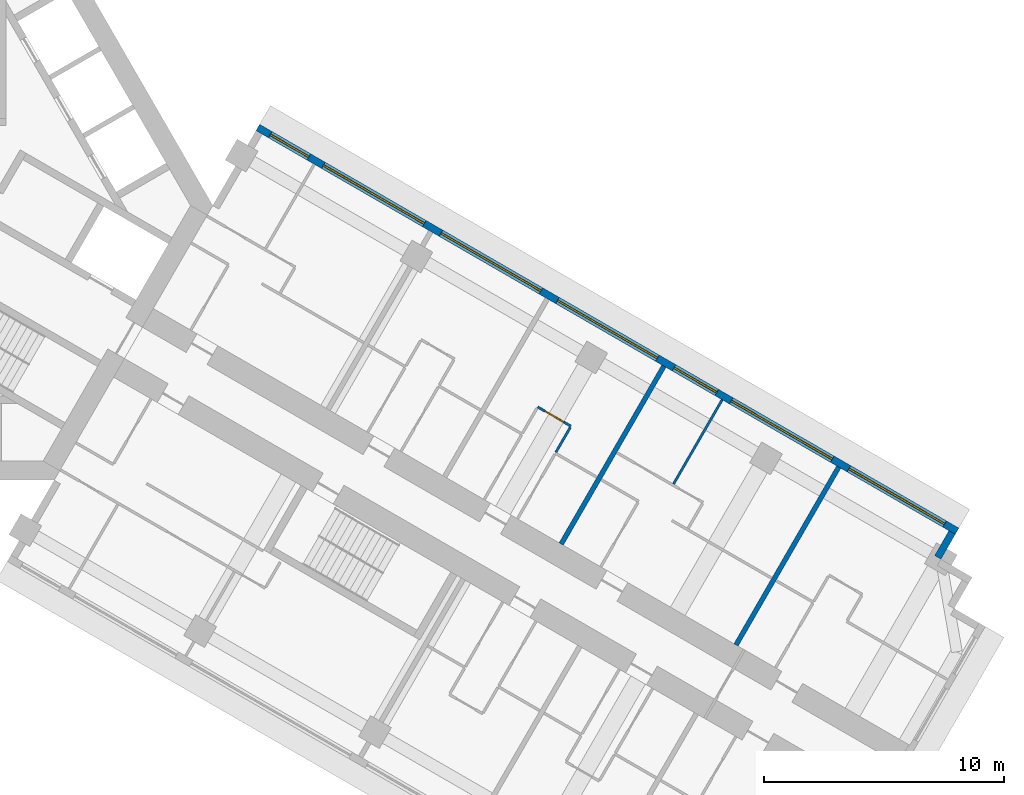
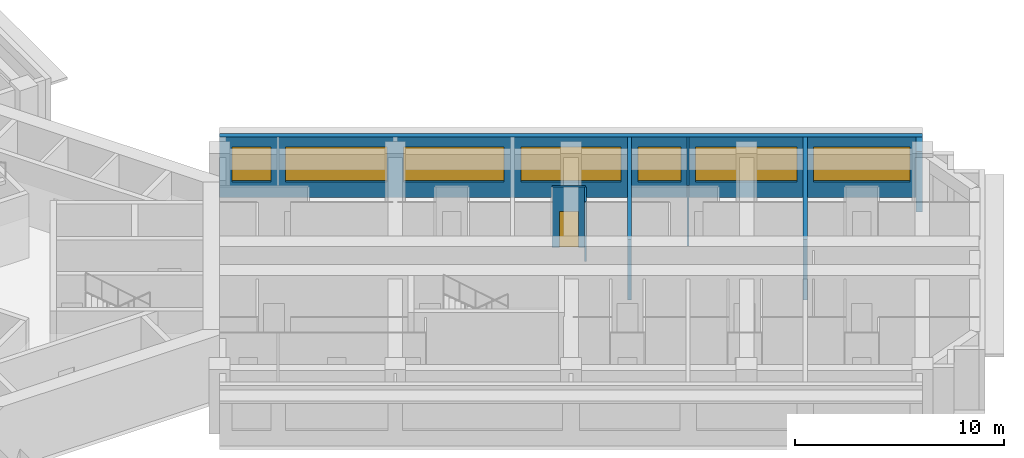
# One storey, part 12 of 15: 7 walls, 7 windows, 1 door, 8 openings.
"""IFC4 building model written with IfcOpenShell, lengths in metres."""

from ifc_helpers import new_model, si_unit, direction, frame, frame_2d, origin, place, context, subcontext, project, spatial, rectangle, extrude, material, layer, layer_set, type_object, element, fill, save


model = new_model("IFC4")

# Units and contexts
model_context = context("Model", 3, precision=1e-05, world=origin(), true_north=direction((0.0, 1.0)))
body_context = subcontext(model_context, "Body", "Model", "MODEL_VIEW")
ifc_project = project(units=[si_unit("LENGTHUNIT", "METRE"), si_unit("AREAUNIT", "SQUARE_METRE"), si_unit("VOLUMEUNIT", "CUBIC_METRE"), si_unit("PLANEANGLEUNIT", "RADIAN"), si_unit("MASSUNIT", "GRAM", prefix="KILO")], contexts=[model_context])

# Site, building, storey
site_placement = place(None, origin())
site = spatial("IfcSite", under=ifc_project, at=site_placement, CompositionType="ELEMENT")
building_placement = place(site_placement, origin())
building = spatial("IfcBuilding", under=site, at=building_placement, Name="Impinga Residences", CompositionType="ELEMENT")
storey_placement = place(building_placement, frame((0.0, 0.0, 132.25)))
storey = spatial("IfcBuildingStorey", under=building, at=storey_placement, Name="L32", CompositionType="ELEMENT", Elevation=132.25)

# Wall
ifc_material_1 = material(Name="Terracotta rainscreen on blockwork", Category="masonry")
ifc_layer_1 = layer(ifc_material_1, 0.300048828125)
ifc_layer_set_1 = layer_set([ifc_layer_1], Name="EW1 external wall, terracotta rainscreen on blockwork 300")
wall_type_1 = type_object("IfcWallType", Name="EW1 external wall, terracotta rainscreen on blockwork 300", PredefinedType="SOLIDWALL", material=ifc_layer_set_1)
wall_1_placement = place(storey_placement, frame((43.968505859375, -13.607421875, 0.0), z_axis=(0.0, 0.0, 1.0), x_axis=(-0.500029051137, -0.866008630453, 0.0)))
element("IfcWall", 1, at=wall_1_placement, inside=storey, type_object=wall_type_1, Name="External wall EW1 L32", PredefinedType="SOLIDWALL", context=body_context, shape_type="SweptSolid", body=[
    extrude(rectangle(XDim=1.19482421875, YDim=0.300048828125, at=frame_2d((0.597412109375, 0.0))), origin(), (0.0, 0.0, 1.0), 3.530029296875),
])

# Wall, openings, windows
wall_2_placement = place(storey_placement, frame((15.074951171875, 3.24755859375, 0.0), z_axis=(0.0, 0.0, 1.0), x_axis=(0.866024291668, -0.500001926238, 0.0)))
wall_2 = element("IfcWall", 2, at=wall_2_placement, inside=storey, type_object=wall_type_1, Name="External wall EW1 L32", PredefinedType="SOLIDWALL", context=body_context, shape_type="SweptSolid", body=[
    extrude(rectangle(XDim=33.599853515625, YDim=0.300048828125, at=frame_2d((16.7998046875, 0.0))), origin(), (0.0, 0.0, 1.0), 3.530029296875),
])
opening_1_placement = place(wall_2_placement, frame((0.60009765625, 0.0, 0.89990234375)))
opening_1 = element("IfcOpeningElement", 3, at=opening_1_placement, cuts=wall_2, Name="Opening W15", PredefinedType="OPENING", context=body_context, shape_type="SweptSolid", body=[
    extrude(rectangle(XDim=1.85009765625, YDim=2.050048828125, at=frame_2d((0.925048828125, 1.02490234375))), frame((0.0, 0.159912109375, 0.0), z_axis=(0.0, -1.0, 0.0), x_axis=(1.0, 0.0, 0.0)), (0.0, 0.0, 1.0), 0.320068359375),
])
opening_2_placement = place(wall_2_placement, frame((3.14990234375, 0.0, 0.89990234375)))
opening_2 = element("IfcOpeningElement", 4, at=opening_2_placement, cuts=wall_2, Name="Opening W6", PredefinedType="OPENING", context=body_context, shape_type="SweptSolid", body=[
    extrude(rectangle(XDim=4.85009765625, YDim=2.050048828125, at=frame_2d((2.425048828125, 1.02490234375))), frame((0.0, 0.159912109375, 0.0), z_axis=(0.0, -1.0, 0.0), x_axis=(1.0, 0.0, 0.0)), (0.0, 0.0, 1.0), 0.320068359375),
])
opening_3_placement = place(wall_2_placement, frame((8.800048828125, 0.0, 0.89990234375)))
opening_3 = element("IfcOpeningElement", 5, at=opening_3_placement, cuts=wall_2, Name="Opening W8", PredefinedType="OPENING", context=body_context, shape_type="SweptSolid", body=[
    extrude(rectangle(XDim=4.800048828125, YDim=2.050048828125, at=frame_2d((2.39990234375, 1.02490234375))), frame((0.0, 0.159912109375, 0.0), z_axis=(0.0, -1.0, 0.0), x_axis=(1.0, 0.0, 0.0)), (0.0, 0.0, 1.0), 0.320068359375),
])
opening_4_placement = place(wall_2_placement, frame((14.39990234375, 0.0, 0.89990234375)))
opening_4 = element("IfcOpeningElement", 6, at=opening_4_placement, cuts=wall_2, Name="Opening W8", PredefinedType="OPENING", context=body_context, shape_type="SweptSolid", body=[
    extrude(rectangle(XDim=4.800048828125, YDim=2.050048828125, at=frame_2d((2.39990234375, 1.02490234375))), frame((0.0, 0.159912109375, 0.0), z_axis=(0.0, -1.0, 0.0), x_axis=(1.0, 0.0, 0.0)), (0.0, 0.0, 1.0), 0.320068359375),
])
opening_5_placement = place(wall_2_placement, frame((20.0, 0.0, 0.89990234375)))
opening_5 = element("IfcOpeningElement", 7, at=opening_5_placement, cuts=wall_2, Name="Opening W14", PredefinedType="OPENING", context=body_context, shape_type="SweptSolid", body=[
    extrude(rectangle(XDim=2.050048828125, YDim=2.050048828125, at=frame_2d((1.02490234375, 1.02490234375))), frame((0.0, 0.159912109375, 0.0), z_axis=(0.0, -1.0, 0.0), x_axis=(1.0, 0.0, 0.0)), (0.0, 0.0, 1.0), 0.320068359375),
])
opening_6_placement = place(wall_2_placement, frame((22.75, 0.0, 0.89990234375)))
opening_6 = element("IfcOpeningElement", 8, at=opening_6_placement, cuts=wall_2, Name="Opening W6", PredefinedType="OPENING", context=body_context, shape_type="SweptSolid", body=[
    extrude(rectangle(XDim=4.85009765625, YDim=2.050048828125, at=frame_2d((2.425048828125, 1.02490234375))), frame((0.0, 0.159912109375, 0.0), z_axis=(0.0, -1.0, 0.0), x_axis=(1.0, 0.0, 0.0)), (0.0, 0.0, 1.0), 0.320068359375),
])
opening_7_placement = place(wall_2_placement, frame((28.39990234375, 0.0, 0.89990234375)))
opening_7 = element("IfcOpeningElement", 9, at=opening_7_placement, cuts=wall_2, Name="Opening W3", PredefinedType="OPENING", context=body_context, shape_type="SweptSolid", body=[
    extrude(rectangle(XDim=4.60009765625, YDim=2.050048828125, at=frame_2d((2.300048828125, 1.02490234375))), frame((0.0, 0.159912109375, 0.0), z_axis=(0.0, -1.0, 0.0), x_axis=(1.0, 0.0, 0.0)), (0.0, 0.0, 1.0), 0.320068359375),
])
ifc_material_2 = material(Name="Aluminium window, clear double glazing", Category="aluminium")
window_type_1 = type_object("IfcWindowType", Name="W14 ribbon window 2050x2050", PartitioningType="SINGLE_PANEL", PredefinedType="WINDOW", material=ifc_material_2)
window_1_placement = place(opening_5_placement, origin())
window_1 = element("IfcWindow", 10, at=window_1_placement, inside=storey, type_object=window_type_1, Name="Window L32", OverallHeight=2.050048828125, OverallWidth=2.050048828125, PartitioningType="SINGLE_PANEL", PredefinedType="WINDOW", context=body_context, shape_type="SweptSolid", body=[
    extrude(rectangle(XDim=2.050048828125, YDim=2.050048828125, at=frame_2d((1.02490234375, 1.02490234375))), frame((0.0, 0.030029296875, 0.0), z_axis=(0.0, -1.0, 0.0), x_axis=(1.0, 0.0, 0.0)), (0.0, 0.0, 1.0), 0.06005859375),
])
fill(opening_5, window_1)
window_type_2 = type_object("IfcWindowType", Name="W15 ribbon window 1850x2050", PartitioningType="SINGLE_PANEL", PredefinedType="WINDOW", material=ifc_material_2)
window_2_placement = place(opening_1_placement, origin())
window_2 = element("IfcWindow", 11, at=window_2_placement, inside=storey, type_object=window_type_2, Name="Window L32", OverallHeight=2.050048828125, OverallWidth=1.85009765625, PartitioningType="SINGLE_PANEL", PredefinedType="WINDOW", context=body_context, shape_type="SweptSolid", body=[
    extrude(rectangle(XDim=1.85009765625, YDim=2.050048828125, at=frame_2d((0.925048828125, 1.02490234375))), frame((0.0, 0.030029296875, 0.0), z_axis=(0.0, -1.0, 0.0), x_axis=(1.0, 0.0, 0.0)), (0.0, 0.0, 1.0), 0.06005859375),
])
fill(opening_1, window_2)
window_type_3 = type_object("IfcWindowType", Name="W3 ribbon window 4600x2050", PartitioningType="SINGLE_PANEL", PredefinedType="WINDOW", material=ifc_material_2)
window_3_placement = place(opening_7_placement, origin())
window_3 = element("IfcWindow", 12, at=window_3_placement, inside=storey, type_object=window_type_3, Name="Window L32", OverallHeight=2.050048828125, OverallWidth=4.60009765625, PartitioningType="SINGLE_PANEL", PredefinedType="WINDOW", context=body_context, shape_type="SweptSolid", body=[
    extrude(rectangle(XDim=4.60009765625, YDim=2.050048828125, at=frame_2d((2.300048828125, 1.02490234375))), frame((0.0, 0.030029296875, 0.0), z_axis=(0.0, -1.0, 0.0), x_axis=(1.0, 0.0, 0.0)), (0.0, 0.0, 1.0), 0.06005859375),
])
fill(opening_7, window_3)
window_type_4 = type_object("IfcWindowType", Name="W6 ribbon window 4850x2050", PartitioningType="SINGLE_PANEL", PredefinedType="WINDOW", material=ifc_material_2)
window_4_placement = place(opening_2_placement, origin())
window_4 = element("IfcWindow", 13, at=window_4_placement, inside=storey, type_object=window_type_4, Name="Window L32", OverallHeight=2.050048828125, OverallWidth=4.85009765625, PartitioningType="SINGLE_PANEL", PredefinedType="WINDOW", context=body_context, shape_type="SweptSolid", body=[
    extrude(rectangle(XDim=4.85009765625, YDim=2.050048828125, at=frame_2d((2.425048828125, 1.02490234375))), frame((0.0, 0.030029296875, 0.0), z_axis=(0.0, -1.0, 0.0), x_axis=(1.0, 0.0, 0.0)), (0.0, 0.0, 1.0), 0.06005859375),
])
fill(opening_2, window_4)
window_5_placement = place(opening_6_placement, origin())
window_5 = element("IfcWindow", 14, at=window_5_placement, inside=storey, type_object=window_type_4, Name="Window L32", OverallHeight=2.050048828125, OverallWidth=4.85009765625, PartitioningType="SINGLE_PANEL", PredefinedType="WINDOW", context=body_context, shape_type="SweptSolid", body=[
    extrude(rectangle(XDim=4.85009765625, YDim=2.050048828125, at=frame_2d((2.425048828125, 1.02490234375))), frame((0.0, 0.030029296875, 0.0), z_axis=(0.0, -1.0, 0.0), x_axis=(1.0, 0.0, 0.0)), (0.0, 0.0, 1.0), 0.06005859375),
])
fill(opening_6, window_5)
window_type_5 = type_object("IfcWindowType", Name="W8 ribbon window 4800x2050", PartitioningType="SINGLE_PANEL", PredefinedType="WINDOW", material=ifc_material_2)
window_6_placement = place(opening_3_placement, origin())
window_6 = element("IfcWindow", 15, at=window_6_placement, inside=storey, type_object=window_type_5, Name="Window L32", OverallHeight=2.050048828125, OverallWidth=4.800048828125, PartitioningType="SINGLE_PANEL", PredefinedType="WINDOW", context=body_context, shape_type="SweptSolid", body=[
    extrude(rectangle(XDim=4.800048828125, YDim=2.050048828125, at=frame_2d((2.39990234375, 1.02490234375))), frame((0.0, 0.030029296875, 0.0), z_axis=(0.0, -1.0, 0.0), x_axis=(1.0, 0.0, 0.0)), (0.0, 0.0, 1.0), 0.06005859375),
])
fill(opening_3, window_6)
window_7_placement = place(opening_4_placement, origin())
window_7 = element("IfcWindow", 16, at=window_7_placement, inside=storey, type_object=window_type_5, Name="Window L32", OverallHeight=2.050048828125, OverallWidth=4.800048828125, PartitioningType="SINGLE_PANEL", PredefinedType="WINDOW", context=body_context, shape_type="SweptSolid", body=[
    extrude(rectangle(XDim=4.800048828125, YDim=2.050048828125, at=frame_2d((2.39990234375, 1.02490234375))), frame((0.0, 0.030029296875, 0.0), z_axis=(0.0, -1.0, 0.0), x_axis=(1.0, 0.0, 0.0)), (0.0, 0.0, 1.0), 0.06005859375),
])
fill(opening_4, window_7)

# Wall, opening, door
ifc_material_3 = material(Name="Gypsum board on steel studs", Category="steel")
ifc_layer_2 = layer(ifc_material_3, 0.10009765625)
ifc_layer_set_2 = layer_set([ifc_layer_2], Name="Gypsum board on steel studs")
wall_type_2 = type_object("IfcWallType", Name="IP1 partition 100", PredefinedType="PARTITIONING", material=ifc_layer_set_2)
wall_3_placement = place(storey_placement, frame((26.7197265625, -8.383056640625, 0.0), z_axis=(0.0, 0.0, 1.0), x_axis=(0.866028054938, -0.499995408039, 0.0)))
wall_3 = element("IfcWall", 17, at=wall_3_placement, inside=storey, type_object=wall_type_2, Name="Partition L32-EA3:STRIP", PredefinedType="PARTITIONING", context=body_context, shape_type="SweptSolid", body=[
    extrude(rectangle(XDim=1.60009765625, YDim=0.10009765625, at=frame_2d((0.800048828125, 0.0))), origin(), (0.0, 0.0, 1.0), 3.530029296875),
])
opening_8_placement = place(wall_3_placement, frame((0.35009765625, 0.0, 0.0)))
opening_8 = element("IfcOpeningElement", 18, at=opening_8_placement, cuts=wall_3, Name="Opening D2", PredefinedType="OPENING", context=body_context, shape_type="SweptSolid", body=[
    extrude(rectangle(XDim=0.89990234375, YDim=2.10009765625, at=frame_2d((0.449951171875, 1.050048828125))), frame((0.0, 0.06005859375, 0.0), z_axis=(0.0, -1.0, 0.0), x_axis=(1.0, 0.0, 0.0)), (0.0, 0.0, 1.0), 0.1201171875),
])
ifc_material_4 = material(Name="Timber door set", Category="wood")
door_type = type_object("IfcDoorType", Name="D2 internal door 900x2100", OperationType="SINGLE_SWING_LEFT", PredefinedType="DOOR", material=ifc_material_4)
door_placement = place(opening_8_placement, origin())
door = element("IfcDoor", 19, at=door_placement, inside=storey, type_object=door_type, Name="Apartment L32-EA3 room door", OperationType="SINGLE_SWING_LEFT", OverallHeight=2.10009765625, OverallWidth=0.89990234375, PredefinedType="DOOR", context=body_context, shape_type="SweptSolid", body=[
    extrude(rectangle(XDim=0.89990234375, YDim=2.10009765625, at=frame_2d((0.449951171875, 1.050048828125))), frame((0.0, 0.02490234375, 0.0), z_axis=(0.0, -1.0, 0.0), x_axis=(1.0, 0.0, 0.0)), (0.0, 0.0, 1.0), 0.050048828125),
])
fill(opening_8, door)

# Walls
wall_4_placement = place(storey_placement, frame((27.48046875, -10.265625, 0.0), z_axis=(0.0, 0.0, 1.0), x_axis=(0.500033551112, 0.866006032174, 0.0)))
element("IfcWall", 20, at=wall_4_placement, inside=storey, type_object=wall_type_2, Name="Partition L32-EA3:SE1", PredefinedType="PARTITIONING", context=body_context, shape_type="SweptSolid", body=[
    extrude(rectangle(XDim=1.2001953125, YDim=0.10009765625, at=frame_2d((0.60009765625, 0.0))), origin(), (0.0, 0.0, 1.0), 3.530029296875),
])
wall_5_placement = place(storey_placement, frame((32.3740234375, -11.589599609375, 0.0), z_axis=(0.0, 0.0, 1.0), x_axis=(0.499990325971, 0.866030989016, 0.0)))
element("IfcWall", 21, at=wall_5_placement, inside=storey, type_object=wall_type_2, Name="Partition L32-EA4:OB1", PredefinedType="PARTITIONING", context=body_context, shape_type="SweptSolid", body=[
    extrude(rectangle(XDim=4.0498046875, YDim=0.10009765625, at=frame_2d((2.02490234375, 0.0))), origin(), (0.0, 0.0, 1.0), 3.530029296875),
])
ifc_material_5 = material(Name="Concrete blockwork", Category="masonry")
ifc_layer_3 = layer(ifc_material_5, 0.199951171875)
ifc_layer_set_3 = layer_set([ifc_layer_3], Name="PW1 party wall between apartments 200")
wall_type_3 = type_object("IfcWallType", Name="PW1 party wall between apartments 200", PredefinedType="SOLIDWALL", material=ifc_layer_set_3)
for number, where, z_axis, x_axis, name in (
    (22, (27.69921875, -14.0869140625, 0.0), (0.0, 0.0, 1.0), (0.499990227581, 0.86603104582, 0.0), "Party wall between apartments L32-EA3:PARTY"),
    (23, (34.9736328125, -18.286865234375, 0.0), (0.0, 0.0, 1.0), (0.500011643316, 0.866018681408, 0.0), "Party wall between apartments L32-EA4:PARTY"),
):
    element("IfcWall", number, at=place(storey_placement, frame(where, z_axis=z_axis, x_axis=x_axis)), inside=storey, type_object=wall_type_3, Name=name, PredefinedType="SOLIDWALL", context=body_context, shape_type="SweptSolid", body=[
        extrude(rectangle(XDim=8.550048828125, YDim=0.199951171875, at=frame_2d((4.27490234375, 0.0))), origin(), (0.0, 0.0, 1.0), 3.530029296875),
    ])

save(model, "model.ifc")
